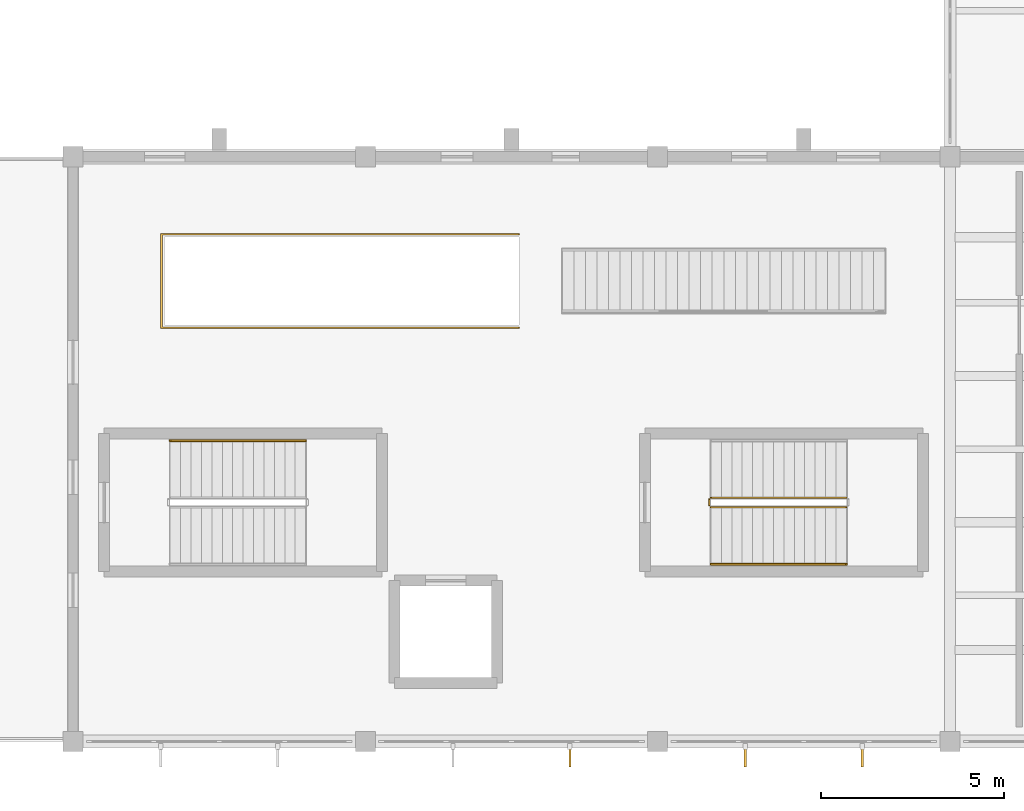
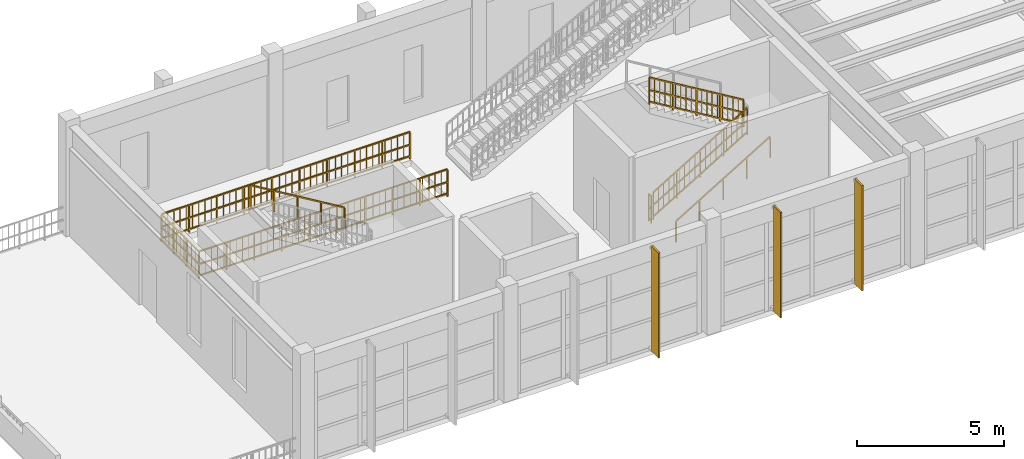
# One storey, part 54 of 59: 6 railings, 3 shading devices.
"""IFC4 building model written with IfcOpenShell, lengths in metres."""

from ifc_helpers import new_model, si_unit, direction, frame, origin, origin_2d, place, context, subcontext, project, spatial, rectangle, extrude, material, layer, layer_set, type_object, element, save


model = new_model("IFC4")

# Units and contexts
model_context = context("Model", 3, precision=1e-05, world=origin(), true_north=direction((0.0, 1.0)))
body_context = subcontext(model_context, "Body", "Model", "MODEL_VIEW")
ifc_project = project(units=[si_unit("LENGTHUNIT", "METRE"), si_unit("AREAUNIT", "SQUARE_METRE"), si_unit("VOLUMEUNIT", "CUBIC_METRE"), si_unit("PLANEANGLEUNIT", "RADIAN"), si_unit("MASSUNIT", "GRAM", prefix="KILO")], contexts=[model_context])

# Site, building, storey
site_placement = place(None, origin())
site = spatial("IfcSite", under=ifc_project, at=site_placement, CompositionType="ELEMENT")
building_placement = place(site_placement, origin())
building = spatial("IfcBuilding", under=site, at=building_placement, Name="Serraluz Foothill Cableway Terminal", CompositionType="ELEMENT")
storey_placement = place(building_placement, frame((0.0, 0.0, 4.800048828125)))
storey = spatial("IfcBuildingStorey", under=building, at=storey_placement, Name="L01", CompositionType="ELEMENT", Elevation=4.800048828125)

# Railings
ifc_material_1 = material(Name="Steel ASTM A572 Grade 50", Category="steel")
ifc_layer_1 = layer(ifc_material_1, 0.054931640625, Name="Steel ASTM A572 Grade 50", Category="steel")
ifc_layer_set_1 = layer_set([ifc_layer_1], Name="Steel ASTM A572 Grade 50")
railing_type_1 = type_object("IfcRailingType", Name="TYP-RL-GRD-1150", PredefinedType="GUARDRAIL", material=ifc_layer_set_1)
railing_1_placement = place(storey_placement, frame((113.4599609375, 6.409912109375, 0.17138671875)))
element("IfcRailing", 1, at=railing_1_placement, inside=storey, type_object=railing_type_1, Name="L01 ST-07 stair guard 1", PredefinedType="GUARDRAIL", context=body_context, shape_type="SweptSolid", body=[
    extrude(rectangle(XDim=0.048095703125, YDim=0.048095703125, at=origin_2d()), frame((0.0, 0.0, 1.1259765625), z_axis=(0.856934400257, 0.0, 0.515425487977), x_axis=(0.0, 1.0, 0.0)), (0.0, 0.0, 1.0), 4.32373046875),
    extrude(rectangle(XDim=0.048095703125, YDim=0.048095703125, at=origin_2d()), frame((0.0, 0.0, 0.597900390625), z_axis=(0.856934400257, 0.0, 0.515425487977), x_axis=(0.0, 1.0, 0.0)), (0.0, 0.0, 1.0), 4.32373046875),
    extrude(rectangle(XDim=0.048095703125, YDim=0.048095703125, at=origin_2d()), frame((0.0, 0.0, 0.1201171875), z_axis=(0.856934400257, 0.0, 0.515425487977), x_axis=(0.0, 1.0, 0.0)), (0.0, 0.0, 1.0), 4.32373046875),
    extrude(rectangle(XDim=0.02001953125, YDim=0.02001953125, at=origin_2d()), frame((0.205810546875, 0.0, 0.243896484375)), (0.0, 0.0, 1.0), 0.981689453125),
    extrude(rectangle(XDim=0.02001953125, YDim=0.02001953125, at=origin_2d()), frame((0.41162109375, 0.0, 0.36767578125)), (0.0, 0.0, 1.0), 0.981689453125),
    extrude(rectangle(XDim=0.02001953125, YDim=0.02001953125, at=origin_2d()), frame((0.617431640625, 0.0, 0.491455078125)), (0.0, 0.0, 1.0), 0.981689453125),
    extrude(rectangle(XDim=0.02001953125, YDim=0.02001953125, at=origin_2d()), frame((0.8232421875, 0.0, 0.615234375)), (0.0, 0.0, 1.0), 0.981689453125),
    extrude(rectangle(XDim=0.02001953125, YDim=0.02001953125, at=origin_2d()), frame((1.029296875, 0.0, 0.739013671875)), (0.0, 0.0, 1.0), 0.981689453125),
    extrude(rectangle(XDim=0.02001953125, YDim=0.02001953125, at=origin_2d()), frame((1.235107421875, 0.0, 0.86279296875)), (0.0, 0.0, 1.0), 0.981689453125),
    extrude(rectangle(XDim=0.02001953125, YDim=0.02001953125, at=origin_2d()), frame((1.44091796875, 0.0, 0.986572265625)), (0.0, 0.0, 1.0), 0.981689453125),
    extrude(rectangle(XDim=0.02001953125, YDim=0.02001953125, at=origin_2d()), frame((1.646728515625, 0.0, 1.1103515625)), (0.0, 0.0, 1.0), 0.981689453125),
    extrude(rectangle(XDim=0.02001953125, YDim=0.02001953125, at=origin_2d()), frame((2.058349609375, 0.0, 1.358154296875)), (0.0, 0.0, 1.0), 0.981689453125),
    extrude(rectangle(XDim=0.02001953125, YDim=0.02001953125, at=origin_2d()), frame((2.26416015625, 0.0, 1.48193359375)), (0.0, 0.0, 1.0), 0.981689453125),
    extrude(rectangle(XDim=0.02001953125, YDim=0.02001953125, at=origin_2d()), frame((2.469970703125, 0.0, 1.605712890625)), (0.0, 0.0, 1.0), 0.981689453125),
    extrude(rectangle(XDim=0.02001953125, YDim=0.02001953125, at=origin_2d()), frame((2.67578125, 0.0, 1.7294921875)), (0.0, 0.0, 1.0), 0.981689453125),
    extrude(rectangle(XDim=0.02001953125, YDim=0.02001953125, at=origin_2d()), frame((2.8818359375, 0.0, 1.853271484375)), (0.0, 0.0, 1.0), 0.981689453125),
    extrude(rectangle(XDim=0.02001953125, YDim=0.02001953125, at=origin_2d()), frame((3.087646484375, 0.0, 1.97705078125)), (0.0, 0.0, 1.0), 0.981689453125),
    extrude(rectangle(XDim=0.02001953125, YDim=0.02001953125, at=origin_2d()), frame((3.29345703125, 0.0, 2.100830078125)), (0.0, 0.0, 1.0), 0.981689453125),
    extrude(rectangle(XDim=0.02001953125, YDim=0.02001953125, at=origin_2d()), frame((3.499267578125, 0.0, 2.224609375)), (0.0, 0.0, 1.0), 0.981689453125),
    extrude(rectangle(XDim=0.0439453125, YDim=0.0439453125, at=origin_2d()), origin(), (0.0, 0.0, 1.0), 1.101806640625),
    extrude(rectangle(XDim=0.0439453125, YDim=0.0439453125, at=origin_2d()), frame((0.92626953125, 0.0, 0.55712890625)), (0.0, 0.0, 1.0), 1.101806640625),
    extrude(rectangle(XDim=0.0439453125, YDim=0.0439453125, at=origin_2d()), frame((1.8525390625, 0.0, 1.1142578125)), (0.0, 0.0, 1.0), 1.101806640625),
    extrude(rectangle(XDim=0.0439453125, YDim=0.0439453125, at=origin_2d()), frame((2.77880859375, 0.0, 1.67138671875)), (0.0, 0.0, 1.0), 1.101806640625),
    extrude(rectangle(XDim=0.0439453125, YDim=0.0439453125, at=origin_2d()), frame((3.705078125, 0.0, 2.228515625)), (0.0, 0.0, 1.0), 1.101806640625),
])
railing_2_placement = place(storey_placement, frame((117.1650390625, 6.669921875, 2.5712890625)))
element("IfcRailing", 2, at=railing_2_placement, inside=storey, type_object=railing_type_1, Name="L01 ST-07 stair guard 3", PredefinedType="GUARDRAIL", context=body_context, shape_type="SweptSolid", body=[
    extrude(rectangle(XDim=0.048095703125, YDim=0.048095703125, at=origin_2d()), frame((0.0, 0.0, 1.1259765625), z_axis=(-0.856909459561, 0.0, 0.515466951525), x_axis=(0.0, -1.0, 0.0)), (0.0, 0.0, 1.0), 4.32373046875),
    extrude(rectangle(XDim=0.048095703125, YDim=0.048095703125, at=origin_2d()), frame((0.0, 0.0, 0.597900390625), z_axis=(-0.856909459561, 0.0, 0.515466951525), x_axis=(0.0, -1.0, 0.0)), (0.0, 0.0, 1.0), 4.32373046875),
    extrude(rectangle(XDim=0.048095703125, YDim=0.048095703125, at=origin_2d()), frame((0.0, 0.0, 0.1201171875), z_axis=(-0.856909459561, 0.0, 0.515466951525), x_axis=(0.0, -1.0, 0.0)), (0.0, 0.0, 1.0), 4.32373046875),
    extrude(rectangle(XDim=0.02001953125, YDim=0.02001953125, at=origin_2d()), frame((-0.205810546875, 0.0, 0.243896484375)), (0.0, 0.0, 1.0), 0.981689453125),
    extrude(rectangle(XDim=0.02001953125, YDim=0.02001953125, at=origin_2d()), frame((-0.41162109375, 0.0, 0.36767578125)), (0.0, 0.0, 1.0), 0.981689453125),
    extrude(rectangle(XDim=0.02001953125, YDim=0.02001953125, at=origin_2d()), frame((-0.617431640625, 0.0, 0.491455078125)), (0.0, 0.0, 1.0), 0.981689453125),
    extrude(rectangle(XDim=0.02001953125, YDim=0.02001953125, at=origin_2d()), frame((-0.8232421875, 0.0, 0.615234375)), (0.0, 0.0, 1.0), 0.981689453125),
    extrude(rectangle(XDim=0.02001953125, YDim=0.02001953125, at=origin_2d()), frame((-1.029296875, 0.0, 0.739013671875)), (0.0, 0.0, 1.0), 0.981689453125),
    extrude(rectangle(XDim=0.02001953125, YDim=0.02001953125, at=origin_2d()), frame((-1.235107421875, 0.0, 0.863037109375)), (0.0, 0.0, 1.0), 0.981689453125),
    extrude(rectangle(XDim=0.02001953125, YDim=0.02001953125, at=origin_2d()), frame((-1.44091796875, 0.0, 0.98681640625)), (0.0, 0.0, 1.0), 0.981689453125),
    extrude(rectangle(XDim=0.02001953125, YDim=0.02001953125, at=origin_2d()), frame((-1.646728515625, 0.0, 1.110595703125)), (0.0, 0.0, 1.0), 0.981689453125),
    extrude(rectangle(XDim=0.02001953125, YDim=0.02001953125, at=origin_2d()), frame((-2.058349609375, 0.0, 1.358154296875)), (0.0, 0.0, 1.0), 0.981689453125),
    extrude(rectangle(XDim=0.02001953125, YDim=0.02001953125, at=origin_2d()), frame((-2.26416015625, 0.0, 1.48193359375)), (0.0, 0.0, 1.0), 0.981689453125),
    extrude(rectangle(XDim=0.02001953125, YDim=0.02001953125, at=origin_2d()), frame((-2.469970703125, 0.0, 1.60595703125)), (0.0, 0.0, 1.0), 0.981689453125),
    extrude(rectangle(XDim=0.02001953125, YDim=0.02001953125, at=origin_2d()), frame((-2.67578125, 0.0, 1.729736328125)), (0.0, 0.0, 1.0), 0.981689453125),
    extrude(rectangle(XDim=0.02001953125, YDim=0.02001953125, at=origin_2d()), frame((-2.8818359375, 0.0, 1.853515625)), (0.0, 0.0, 1.0), 0.981689453125),
    extrude(rectangle(XDim=0.02001953125, YDim=0.02001953125, at=origin_2d()), frame((-3.087646484375, 0.0, 1.977294921875)), (0.0, 0.0, 1.0), 0.981689453125),
    extrude(rectangle(XDim=0.02001953125, YDim=0.02001953125, at=origin_2d()), frame((-3.29345703125, 0.0, 2.10107421875)), (0.0, 0.0, 1.0), 0.981689453125),
    extrude(rectangle(XDim=0.02001953125, YDim=0.02001953125, at=origin_2d()), frame((-3.499267578125, 0.0, 2.224853515625)), (0.0, 0.0, 1.0), 0.981689453125),
    extrude(rectangle(XDim=0.0439453125, YDim=0.0439453125, at=origin_2d()), origin(), (0.0, 0.0, 1.0), 1.101806640625),
    extrude(rectangle(XDim=0.0439453125, YDim=0.0439453125, at=origin_2d()), frame((-0.92626953125, 0.0, 0.55712890625)), (0.0, 0.0, 1.0), 1.101806640625),
    extrude(rectangle(XDim=0.0439453125, YDim=0.0439453125, at=origin_2d()), frame((-1.8525390625, 0.0, 1.1142578125)), (0.0, 0.0, 1.0), 1.101806640625),
    extrude(rectangle(XDim=0.0439453125, YDim=0.0439453125, at=origin_2d()), frame((-2.77880859375, 0.0, 1.671630859375)), (0.0, 0.0, 1.0), 1.101806640625),
    extrude(rectangle(XDim=0.0439453125, YDim=0.0439453125, at=origin_2d()), frame((-3.705078125, 0.0, 2.228759765625)), (0.0, 0.0, 1.0), 1.101806640625),
])
railing_3_placement = place(storey_placement, frame((113.409912109375, 6.4599609375, 0.0)))
element("IfcRailing", 3, at=railing_3_placement, inside=storey, type_object=railing_type_1, Name="L01 ST-07 stair guard 4", PredefinedType="GUARDRAIL", context=body_context, shape_type="SweptSolid", body=[
    extrude(rectangle(XDim=0.048095703125, YDim=0.048095703125, at=origin_2d()), frame((0.0, 0.0, 1.1259765625), z_axis=(0.0, 1.0, 0.0), x_axis=(-1.0, 0.0, 0.0)), (0.0, 0.0, 1.0), 0.16015625),
    extrude(rectangle(XDim=0.048095703125, YDim=0.048095703125, at=origin_2d()), frame((0.0, 0.0, 0.597900390625), z_axis=(0.0, 1.0, 0.0), x_axis=(-1.0, 0.0, 0.0)), (0.0, 0.0, 1.0), 0.16015625),
    extrude(rectangle(XDim=0.048095703125, YDim=0.048095703125, at=origin_2d()), frame((0.0, 0.0, 0.1201171875), z_axis=(0.0, 1.0, 0.0), x_axis=(-1.0, 0.0, 0.0)), (0.0, 0.0, 1.0), 0.16015625),
    extrude(rectangle(XDim=0.0439453125, YDim=0.0439453125, at=origin_2d()), origin(), (0.0, 0.0, 1.0), 1.101806640625),
    extrude(rectangle(XDim=0.0439453125, YDim=0.0439453125, at=origin_2d()), frame((0.0, 0.16015625, 0.0)), (0.0, 0.0, 1.0), 1.101806640625),
])
railing_4_placement = place(storey_placement, frame((108.199951171875, 11.320068359375, 0.0)))
element("IfcRailing", 4, at=railing_4_placement, inside=storey, type_object=railing_type_1, Name="GUARDRAIL ST-F04 Upper Well", PredefinedType="GUARDRAIL", context=body_context, shape_type="SweptSolid", body=[
    extrude(rectangle(XDim=0.048095703125, YDim=0.048095703125, at=origin_2d()), frame((0.0, 0.0, 1.1259765625), z_axis=(-1.0, 0.0, 0.0), x_axis=(0.0, -1.0, 0.0)), (0.0, 0.0, 1.0), 9.780029296875),
    extrude(rectangle(XDim=0.048095703125, YDim=0.048095703125, at=origin_2d()), frame((0.0, 0.0, 0.597900390625), z_axis=(-1.0, 0.0, 0.0), x_axis=(0.0, -1.0, 0.0)), (0.0, 0.0, 1.0), 9.780029296875),
    extrude(rectangle(XDim=0.048095703125, YDim=0.048095703125, at=origin_2d()), frame((0.0, 0.0, 0.1201171875), z_axis=(-1.0, 0.0, 0.0), x_axis=(0.0, -1.0, 0.0)), (0.0, 0.0, 1.0), 9.780029296875),
    extrude(rectangle(XDim=0.02001953125, YDim=0.02001953125, at=origin_2d()), frame((-0.244384765625, 0.0, 0.1201171875)), (0.0, 0.0, 1.0), 0.981689453125),
    extrude(rectangle(XDim=0.02001953125, YDim=0.02001953125, at=origin_2d()), frame((-0.489013671875, 0.0, 0.1201171875)), (0.0, 0.0, 1.0), 0.981689453125),
    extrude(rectangle(XDim=0.02001953125, YDim=0.02001953125, at=origin_2d()), frame((-0.7333984375, 0.0, 0.1201171875)), (0.0, 0.0, 1.0), 0.981689453125),
    extrude(rectangle(XDim=0.02001953125, YDim=0.02001953125, at=origin_2d()), frame((-0.97802734375, 0.0, 0.1201171875)), (0.0, 0.0, 1.0), 0.981689453125),
    extrude(rectangle(XDim=0.02001953125, YDim=0.02001953125, at=origin_2d()), frame((-1.222412109375, 0.0, 0.1201171875)), (0.0, 0.0, 1.0), 0.981689453125),
    extrude(rectangle(XDim=0.02001953125, YDim=0.02001953125, at=origin_2d()), frame((-1.467041015625, 0.0, 0.1201171875)), (0.0, 0.0, 1.0), 0.981689453125),
    extrude(rectangle(XDim=0.02001953125, YDim=0.02001953125, at=origin_2d()), frame((-1.71142578125, 0.0, 0.1201171875)), (0.0, 0.0, 1.0), 0.981689453125),
    extrude(rectangle(XDim=0.02001953125, YDim=0.02001953125, at=origin_2d()), frame((-1.9560546875, 0.0, 0.1201171875)), (0.0, 0.0, 1.0), 0.981689453125),
    extrude(rectangle(XDim=0.02001953125, YDim=0.02001953125, at=origin_2d()), frame((-2.445068359375, 0.0, 0.1201171875)), (0.0, 0.0, 1.0), 0.981689453125),
    extrude(rectangle(XDim=0.02001953125, YDim=0.02001953125, at=origin_2d()), frame((-2.689453125, 0.0, 0.1201171875)), (0.0, 0.0, 1.0), 0.981689453125),
    extrude(rectangle(XDim=0.02001953125, YDim=0.02001953125, at=origin_2d()), frame((-2.93408203125, 0.0, 0.1201171875)), (0.0, 0.0, 1.0), 0.981689453125),
    extrude(rectangle(XDim=0.02001953125, YDim=0.02001953125, at=origin_2d()), frame((-3.178466796875, 0.0, 0.1201171875)), (0.0, 0.0, 1.0), 0.981689453125),
    extrude(rectangle(XDim=0.02001953125, YDim=0.02001953125, at=origin_2d()), frame((-3.423095703125, 0.0, 0.1201171875)), (0.0, 0.0, 1.0), 0.981689453125),
    extrude(rectangle(XDim=0.02001953125, YDim=0.02001953125, at=origin_2d()), frame((-3.66748046875, 0.0, 0.1201171875)), (0.0, 0.0, 1.0), 0.981689453125),
    extrude(rectangle(XDim=0.02001953125, YDim=0.02001953125, at=origin_2d()), frame((-3.912109375, 0.0, 0.1201171875)), (0.0, 0.0, 1.0), 0.981689453125),
    extrude(rectangle(XDim=0.02001953125, YDim=0.02001953125, at=origin_2d()), frame((-4.156494140625, 0.0, 0.1201171875)), (0.0, 0.0, 1.0), 0.981689453125),
    extrude(rectangle(XDim=0.02001953125, YDim=0.02001953125, at=origin_2d()), frame((-4.6455078125, 0.0, 0.1201171875)), (0.0, 0.0, 1.0), 0.981689453125),
    extrude(rectangle(XDim=0.02001953125, YDim=0.02001953125, at=origin_2d()), frame((-4.89013671875, 0.0, 0.1201171875)), (0.0, 0.0, 1.0), 0.981689453125),
    extrude(rectangle(XDim=0.02001953125, YDim=0.02001953125, at=origin_2d()), frame((-5.134521484375, 0.0, 0.1201171875)), (0.0, 0.0, 1.0), 0.981689453125),
    extrude(rectangle(XDim=0.02001953125, YDim=0.02001953125, at=origin_2d()), frame((-5.62353515625, 0.0, 0.1201171875)), (0.0, 0.0, 1.0), 0.981689453125),
    extrude(rectangle(XDim=0.02001953125, YDim=0.02001953125, at=origin_2d()), frame((-5.867919921875, 0.0, 0.1201171875)), (0.0, 0.0, 1.0), 0.981689453125),
    extrude(rectangle(XDim=0.02001953125, YDim=0.02001953125, at=origin_2d()), frame((-6.112548828125, 0.0, 0.1201171875)), (0.0, 0.0, 1.0), 0.981689453125),
    extrude(rectangle(XDim=0.02001953125, YDim=0.02001953125, at=origin_2d()), frame((-6.35693359375, 0.0, 0.1201171875)), (0.0, 0.0, 1.0), 0.981689453125),
    extrude(rectangle(XDim=0.02001953125, YDim=0.02001953125, at=origin_2d()), frame((-6.6015625, 0.0, 0.1201171875)), (0.0, 0.0, 1.0), 0.981689453125),
    extrude(rectangle(XDim=0.02001953125, YDim=0.02001953125, at=origin_2d()), frame((-6.845947265625, 0.0, 0.1201171875)), (0.0, 0.0, 1.0), 0.981689453125),
    extrude(rectangle(XDim=0.02001953125, YDim=0.02001953125, at=origin_2d()), frame((-7.090576171875, 0.0, 0.1201171875)), (0.0, 0.0, 1.0), 0.981689453125),
    extrude(rectangle(XDim=0.02001953125, YDim=0.02001953125, at=origin_2d()), frame((-7.3349609375, 0.0, 0.1201171875)), (0.0, 0.0, 1.0), 0.981689453125),
    extrude(rectangle(XDim=0.02001953125, YDim=0.02001953125, at=origin_2d()), frame((-7.823974609375, 0.0, 0.1201171875)), (0.0, 0.0, 1.0), 0.981689453125),
    extrude(rectangle(XDim=0.02001953125, YDim=0.02001953125, at=origin_2d()), frame((-8.068603515625, 0.0, 0.1201171875)), (0.0, 0.0, 1.0), 0.981689453125),
    extrude(rectangle(XDim=0.02001953125, YDim=0.02001953125, at=origin_2d()), frame((-8.31298828125, 0.0, 0.1201171875)), (0.0, 0.0, 1.0), 0.981689453125),
    extrude(rectangle(XDim=0.02001953125, YDim=0.02001953125, at=origin_2d()), frame((-8.5576171875, 0.0, 0.1201171875)), (0.0, 0.0, 1.0), 0.981689453125),
    extrude(rectangle(XDim=0.02001953125, YDim=0.02001953125, at=origin_2d()), frame((-8.802001953125, 0.0, 0.1201171875)), (0.0, 0.0, 1.0), 0.981689453125),
    extrude(rectangle(XDim=0.02001953125, YDim=0.02001953125, at=origin_2d()), frame((-9.046630859375, 0.0, 0.1201171875)), (0.0, 0.0, 1.0), 0.981689453125),
    extrude(rectangle(XDim=0.02001953125, YDim=0.02001953125, at=origin_2d()), frame((-9.291015625, 0.0, 0.1201171875)), (0.0, 0.0, 1.0), 0.981689453125),
    extrude(rectangle(XDim=0.02001953125, YDim=0.02001953125, at=origin_2d()), frame((-9.53564453125, 0.0, 0.1201171875)), (0.0, 0.0, 1.0), 0.981689453125),
    extrude(rectangle(XDim=0.048095703125, YDim=0.048095703125, at=origin_2d()), frame((-9.780029296875, 0.0, 1.1259765625), z_axis=(0.0, 1.0, 0.0), x_axis=(-1.0, 0.0, 0.0)), (0.0, 0.0, 1.0), 2.559814453125),
    extrude(rectangle(XDim=0.048095703125, YDim=0.048095703125, at=origin_2d()), frame((-9.780029296875, 0.0, 0.597900390625), z_axis=(0.0, 1.0, 0.0), x_axis=(-1.0, 0.0, 0.0)), (0.0, 0.0, 1.0), 2.559814453125),
    extrude(rectangle(XDim=0.048095703125, YDim=0.048095703125, at=origin_2d()), frame((-9.780029296875, 0.0, 0.1201171875), z_axis=(0.0, 1.0, 0.0), x_axis=(-1.0, 0.0, 0.0)), (0.0, 0.0, 1.0), 2.559814453125),
    extrude(rectangle(XDim=0.02001953125, YDim=0.02001953125, at=origin_2d()), frame((-9.780029296875, 0.255859375, 0.1201171875)), (0.0, 0.0, 1.0), 0.981689453125),
    extrude(rectangle(XDim=0.02001953125, YDim=0.02001953125, at=origin_2d()), frame((-9.780029296875, 0.511962890625, 0.1201171875)), (0.0, 0.0, 1.0), 0.981689453125),
    extrude(rectangle(XDim=0.02001953125, YDim=0.02001953125, at=origin_2d()), frame((-9.780029296875, 0.76806640625, 0.1201171875)), (0.0, 0.0, 1.0), 0.981689453125),
    extrude(rectangle(XDim=0.02001953125, YDim=0.02001953125, at=origin_2d()), frame((-9.780029296875, 1.02392578125, 0.1201171875)), (0.0, 0.0, 1.0), 0.981689453125),
    extrude(rectangle(XDim=0.02001953125, YDim=0.02001953125, at=origin_2d()), frame((-9.780029296875, 1.27978515625, 0.1201171875)), (0.0, 0.0, 1.0), 0.981689453125),
    extrude(rectangle(XDim=0.02001953125, YDim=0.02001953125, at=origin_2d()), frame((-9.780029296875, 1.535888671875, 0.1201171875)), (0.0, 0.0, 1.0), 0.981689453125),
    extrude(rectangle(XDim=0.02001953125, YDim=0.02001953125, at=origin_2d()), frame((-9.780029296875, 1.791748046875, 0.1201171875)), (0.0, 0.0, 1.0), 0.981689453125),
    extrude(rectangle(XDim=0.02001953125, YDim=0.02001953125, at=origin_2d()), frame((-9.780029296875, 2.0478515625, 0.1201171875)), (0.0, 0.0, 1.0), 0.981689453125),
    extrude(rectangle(XDim=0.02001953125, YDim=0.02001953125, at=origin_2d()), frame((-9.780029296875, 2.3037109375, 0.1201171875)), (0.0, 0.0, 1.0), 0.981689453125),
    extrude(rectangle(XDim=0.048095703125, YDim=0.048095703125, at=origin_2d()), frame((-9.780029296875, 2.559814453125, 1.1259765625), z_axis=(1.0, 0.0, 0.0), x_axis=(0.0, 1.0, 0.0)), (0.0, 0.0, 1.0), 9.780029296875),
    extrude(rectangle(XDim=0.048095703125, YDim=0.048095703125, at=origin_2d()), frame((-9.780029296875, 2.559814453125, 0.597900390625), z_axis=(1.0, 0.0, 0.0), x_axis=(0.0, 1.0, 0.0)), (0.0, 0.0, 1.0), 9.780029296875),
    extrude(rectangle(XDim=0.048095703125, YDim=0.048095703125, at=origin_2d()), frame((-9.780029296875, 2.559814453125, 0.1201171875), z_axis=(1.0, 0.0, 0.0), x_axis=(0.0, 1.0, 0.0)), (0.0, 0.0, 1.0), 9.780029296875),
    extrude(rectangle(XDim=0.02001953125, YDim=0.02001953125, at=origin_2d()), frame((-9.53564453125, 2.559814453125, 0.1201171875)), (0.0, 0.0, 1.0), 0.981689453125),
    extrude(rectangle(XDim=0.02001953125, YDim=0.02001953125, at=origin_2d()), frame((-9.291015625, 2.559814453125, 0.1201171875)), (0.0, 0.0, 1.0), 0.981689453125),
    extrude(rectangle(XDim=0.02001953125, YDim=0.02001953125, at=origin_2d()), frame((-9.046630859375, 2.559814453125, 0.1201171875)), (0.0, 0.0, 1.0), 0.981689453125),
    extrude(rectangle(XDim=0.02001953125, YDim=0.02001953125, at=origin_2d()), frame((-8.802001953125, 2.559814453125, 0.1201171875)), (0.0, 0.0, 1.0), 0.981689453125),
    extrude(rectangle(XDim=0.02001953125, YDim=0.02001953125, at=origin_2d()), frame((-8.5576171875, 2.559814453125, 0.1201171875)), (0.0, 0.0, 1.0), 0.981689453125),
    extrude(rectangle(XDim=0.02001953125, YDim=0.02001953125, at=origin_2d()), frame((-8.31298828125, 2.559814453125, 0.1201171875)), (0.0, 0.0, 1.0), 0.981689453125),
    extrude(rectangle(XDim=0.02001953125, YDim=0.02001953125, at=origin_2d()), frame((-8.068603515625, 2.559814453125, 0.1201171875)), (0.0, 0.0, 1.0), 0.981689453125),
    extrude(rectangle(XDim=0.02001953125, YDim=0.02001953125, at=origin_2d()), frame((-7.823974609375, 2.559814453125, 0.1201171875)), (0.0, 0.0, 1.0), 0.981689453125),
    extrude(rectangle(XDim=0.02001953125, YDim=0.02001953125, at=origin_2d()), frame((-7.3349609375, 2.559814453125, 0.1201171875)), (0.0, 0.0, 1.0), 0.981689453125),
    extrude(rectangle(XDim=0.02001953125, YDim=0.02001953125, at=origin_2d()), frame((-7.090576171875, 2.559814453125, 0.1201171875)), (0.0, 0.0, 1.0), 0.981689453125),
    extrude(rectangle(XDim=0.02001953125, YDim=0.02001953125, at=origin_2d()), frame((-6.845947265625, 2.559814453125, 0.1201171875)), (0.0, 0.0, 1.0), 0.981689453125),
    extrude(rectangle(XDim=0.02001953125, YDim=0.02001953125, at=origin_2d()), frame((-6.6015625, 2.559814453125, 0.1201171875)), (0.0, 0.0, 1.0), 0.981689453125),
    extrude(rectangle(XDim=0.02001953125, YDim=0.02001953125, at=origin_2d()), frame((-6.35693359375, 2.559814453125, 0.1201171875)), (0.0, 0.0, 1.0), 0.981689453125),
    extrude(rectangle(XDim=0.02001953125, YDim=0.02001953125, at=origin_2d()), frame((-6.112548828125, 2.559814453125, 0.1201171875)), (0.0, 0.0, 1.0), 0.981689453125),
    extrude(rectangle(XDim=0.02001953125, YDim=0.02001953125, at=origin_2d()), frame((-5.867919921875, 2.559814453125, 0.1201171875)), (0.0, 0.0, 1.0), 0.981689453125),
    extrude(rectangle(XDim=0.02001953125, YDim=0.02001953125, at=origin_2d()), frame((-5.62353515625, 2.559814453125, 0.1201171875)), (0.0, 0.0, 1.0), 0.981689453125),
    extrude(rectangle(XDim=0.02001953125, YDim=0.02001953125, at=origin_2d()), frame((-5.134521484375, 2.559814453125, 0.1201171875)), (0.0, 0.0, 1.0), 0.981689453125),
    extrude(rectangle(XDim=0.02001953125, YDim=0.02001953125, at=origin_2d()), frame((-4.89013671875, 2.559814453125, 0.1201171875)), (0.0, 0.0, 1.0), 0.981689453125),
    extrude(rectangle(XDim=0.02001953125, YDim=0.02001953125, at=origin_2d()), frame((-4.6455078125, 2.559814453125, 0.1201171875)), (0.0, 0.0, 1.0), 0.981689453125),
    extrude(rectangle(XDim=0.02001953125, YDim=0.02001953125, at=origin_2d()), frame((-4.156494140625, 2.559814453125, 0.1201171875)), (0.0, 0.0, 1.0), 0.981689453125),
    extrude(rectangle(XDim=0.02001953125, YDim=0.02001953125, at=origin_2d()), frame((-3.912109375, 2.559814453125, 0.1201171875)), (0.0, 0.0, 1.0), 0.981689453125),
    extrude(rectangle(XDim=0.02001953125, YDim=0.02001953125, at=origin_2d()), frame((-3.66748046875, 2.559814453125, 0.1201171875)), (0.0, 0.0, 1.0), 0.981689453125),
    extrude(rectangle(XDim=0.02001953125, YDim=0.02001953125, at=origin_2d()), frame((-3.423095703125, 2.559814453125, 0.1201171875)), (0.0, 0.0, 1.0), 0.981689453125),
    extrude(rectangle(XDim=0.02001953125, YDim=0.02001953125, at=origin_2d()), frame((-3.178466796875, 2.559814453125, 0.1201171875)), (0.0, 0.0, 1.0), 0.981689453125),
    extrude(rectangle(XDim=0.02001953125, YDim=0.02001953125, at=origin_2d()), frame((-2.93408203125, 2.559814453125, 0.1201171875)), (0.0, 0.0, 1.0), 0.981689453125),
    extrude(rectangle(XDim=0.02001953125, YDim=0.02001953125, at=origin_2d()), frame((-2.689453125, 2.559814453125, 0.1201171875)), (0.0, 0.0, 1.0), 0.981689453125),
    extrude(rectangle(XDim=0.02001953125, YDim=0.02001953125, at=origin_2d()), frame((-2.445068359375, 2.559814453125, 0.1201171875)), (0.0, 0.0, 1.0), 0.981689453125),
    extrude(rectangle(XDim=0.02001953125, YDim=0.02001953125, at=origin_2d()), frame((-1.9560546875, 2.559814453125, 0.1201171875)), (0.0, 0.0, 1.0), 0.981689453125),
    extrude(rectangle(XDim=0.02001953125, YDim=0.02001953125, at=origin_2d()), frame((-1.71142578125, 2.559814453125, 0.1201171875)), (0.0, 0.0, 1.0), 0.981689453125),
    extrude(rectangle(XDim=0.02001953125, YDim=0.02001953125, at=origin_2d()), frame((-1.467041015625, 2.559814453125, 0.1201171875)), (0.0, 0.0, 1.0), 0.981689453125),
    extrude(rectangle(XDim=0.02001953125, YDim=0.02001953125, at=origin_2d()), frame((-1.222412109375, 2.559814453125, 0.1201171875)), (0.0, 0.0, 1.0), 0.981689453125),
    extrude(rectangle(XDim=0.02001953125, YDim=0.02001953125, at=origin_2d()), frame((-0.97802734375, 2.559814453125, 0.1201171875)), (0.0, 0.0, 1.0), 0.981689453125),
    extrude(rectangle(XDim=0.02001953125, YDim=0.02001953125, at=origin_2d()), frame((-0.7333984375, 2.559814453125, 0.1201171875)), (0.0, 0.0, 1.0), 0.981689453125),
    extrude(rectangle(XDim=0.02001953125, YDim=0.02001953125, at=origin_2d()), frame((-0.489013671875, 2.559814453125, 0.1201171875)), (0.0, 0.0, 1.0), 0.981689453125),
    extrude(rectangle(XDim=0.02001953125, YDim=0.02001953125, at=origin_2d()), frame((-0.244384765625, 2.559814453125, 0.1201171875)), (0.0, 0.0, 1.0), 0.981689453125),
    extrude(rectangle(XDim=0.0439453125, YDim=0.0439453125, at=origin_2d()), origin(), (0.0, 0.0, 1.0), 1.101806640625),
    extrude(rectangle(XDim=0.0439453125, YDim=0.0439453125, at=origin_2d()), frame((-1.086669921875, 0.0, 0.0)), (0.0, 0.0, 1.0), 1.101806640625),
    extrude(rectangle(XDim=0.0439453125, YDim=0.0439453125, at=origin_2d()), frame((-2.17333984375, 0.0, 0.0)), (0.0, 0.0, 1.0), 1.101806640625),
    extrude(rectangle(XDim=0.0439453125, YDim=0.0439453125, at=origin_2d()), frame((-3.260009765625, 0.0, 0.0)), (0.0, 0.0, 1.0), 1.101806640625),
    extrude(rectangle(XDim=0.0439453125, YDim=0.0439453125, at=origin_2d()), frame((-4.3466796875, 0.0, 0.0)), (0.0, 0.0, 1.0), 1.101806640625),
    extrude(rectangle(XDim=0.0439453125, YDim=0.0439453125, at=origin_2d()), frame((-5.433349609375, 0.0, 0.0)), (0.0, 0.0, 1.0), 1.101806640625),
    extrude(rectangle(XDim=0.0439453125, YDim=0.0439453125, at=origin_2d()), frame((-6.52001953125, 0.0, 0.0)), (0.0, 0.0, 1.0), 1.101806640625),
    extrude(rectangle(XDim=0.0439453125, YDim=0.0439453125, at=origin_2d()), frame((-7.606689453125, 0.0, 0.0)), (0.0, 0.0, 1.0), 1.101806640625),
    extrude(rectangle(XDim=0.0439453125, YDim=0.0439453125, at=origin_2d()), frame((-8.693359375, 0.0, 0.0)), (0.0, 0.0, 1.0), 1.101806640625),
    extrude(rectangle(XDim=0.0439453125, YDim=0.0439453125, at=origin_2d()), frame((-9.780029296875, 0.0, 0.0)), (0.0, 0.0, 1.0), 1.101806640625),
    extrude(rectangle(XDim=0.0439453125, YDim=0.0439453125, at=origin_2d()), frame((-9.780029296875, 0.853271484375, 0.0)), (0.0, 0.0, 1.0), 1.101806640625),
    extrude(rectangle(XDim=0.0439453125, YDim=0.0439453125, at=origin_2d()), frame((-9.780029296875, 1.70654296875, 0.0)), (0.0, 0.0, 1.0), 1.101806640625),
    extrude(rectangle(XDim=0.0439453125, YDim=0.0439453125, at=origin_2d()), frame((-9.780029296875, 2.559814453125, 0.0)), (0.0, 0.0, 1.0), 1.101806640625),
    extrude(rectangle(XDim=0.0439453125, YDim=0.0439453125, at=origin_2d()), frame((-8.693359375, 2.559814453125, 0.0)), (0.0, 0.0, 1.0), 1.101806640625),
    extrude(rectangle(XDim=0.0439453125, YDim=0.0439453125, at=origin_2d()), frame((-7.606689453125, 2.559814453125, 0.0)), (0.0, 0.0, 1.0), 1.101806640625),
    extrude(rectangle(XDim=0.0439453125, YDim=0.0439453125, at=origin_2d()), frame((-6.52001953125, 2.559814453125, 0.0)), (0.0, 0.0, 1.0), 1.101806640625),
    extrude(rectangle(XDim=0.0439453125, YDim=0.0439453125, at=origin_2d()), frame((-5.433349609375, 2.559814453125, 0.0)), (0.0, 0.0, 1.0), 1.101806640625),
    extrude(rectangle(XDim=0.0439453125, YDim=0.0439453125, at=origin_2d()), frame((-4.3466796875, 2.559814453125, 0.0)), (0.0, 0.0, 1.0), 1.101806640625),
    extrude(rectangle(XDim=0.0439453125, YDim=0.0439453125, at=origin_2d()), frame((-3.260009765625, 2.559814453125, 0.0)), (0.0, 0.0, 1.0), 1.101806640625),
    extrude(rectangle(XDim=0.0439453125, YDim=0.0439453125, at=origin_2d()), frame((-2.17333984375, 2.559814453125, 0.0)), (0.0, 0.0, 1.0), 1.101806640625),
    extrude(rectangle(XDim=0.0439453125, YDim=0.0439453125, at=origin_2d()), frame((-1.086669921875, 2.559814453125, 0.0)), (0.0, 0.0, 1.0), 1.101806640625),
    extrude(rectangle(XDim=0.0439453125, YDim=0.0439453125, at=origin_2d()), frame((0.0, 2.559814453125, 0.0)), (0.0, 0.0, 1.0), 1.101806640625),
])
ifc_material_2 = material(Name="Architectural bronze alloy C28000", Category="aluminium")
ifc_layer_2 = layer(ifc_material_2, 0.048095703125, Name="Architectural bronze alloy C28000", Category="aluminium")
ifc_layer_set_2 = layer_set([ifc_layer_2], Name="Architectural bronze alloy C28000")
railing_type_2 = type_object("IfcRailingType", Name="TYP-RL-HND-920", PredefinedType="HANDRAIL", material=ifc_layer_set_2)
railing_5_placement = place(storey_placement, frame((102.364990234375, 8.22998046875, 2.5712890625)))
element("IfcRailing", 5, at=railing_5_placement, inside=storey, type_object=railing_type_2, Name="L01 ST-06 stair handrail 2", PredefinedType="HANDRAIL", context=body_context, shape_type="SweptSolid", body=[
    extrude(rectangle(XDim=0.048095703125, YDim=0.048095703125, at=origin_2d()), frame((0.0, 0.0, 0.8759765625), z_axis=(-0.856909459561, 0.0, 0.515466951525), x_axis=(0.0, -1.0, 0.0)), (0.0, 0.0, 1.0), 4.32373046875),
    extrude(rectangle(XDim=0.0439453125, YDim=0.0439453125, at=origin_2d()), origin(), (0.0, 0.0, 1.0), 0.851806640625),
    extrude(rectangle(XDim=0.0439453125, YDim=0.0439453125, at=origin_2d()), frame((-0.92626953125, 0.0, 0.55712890625)), (0.0, 0.0, 1.0), 0.851806640625),
    extrude(rectangle(XDim=0.0439453125, YDim=0.0439453125, at=origin_2d()), frame((-1.8525390625, 0.0, 1.1142578125)), (0.0, 0.0, 1.0), 0.851806640625),
    extrude(rectangle(XDim=0.0439453125, YDim=0.0439453125, at=origin_2d()), frame((-2.77880859375, 0.0, 1.671630859375)), (0.0, 0.0, 1.0), 0.851806640625),
    extrude(rectangle(XDim=0.0439453125, YDim=0.0439453125, at=origin_2d()), frame((-3.705078125, 0.0, 2.228759765625)), (0.0, 0.0, 1.0), 0.851806640625),
])
railing_6_placement = place(storey_placement, frame((113.4599609375, 4.85009765625, 0.17138671875)))
element("IfcRailing", 6, at=railing_6_placement, inside=storey, type_object=railing_type_2, Name="L01 ST-07 stair handrail 1", PredefinedType="HANDRAIL", context=body_context, shape_type="SweptSolid", body=[
    extrude(rectangle(XDim=0.048095703125, YDim=0.048095703125, at=origin_2d()), frame((0.0, 0.0, 0.8759765625), z_axis=(0.856934400257, 0.0, 0.515425487977), x_axis=(0.0, 1.0, 0.0)), (0.0, 0.0, 1.0), 4.32373046875),
    extrude(rectangle(XDim=0.0439453125, YDim=0.0439453125, at=origin_2d()), origin(), (0.0, 0.0, 1.0), 0.851806640625),
    extrude(rectangle(XDim=0.0439453125, YDim=0.0439453125, at=origin_2d()), frame((0.92626953125, 0.0, 0.55712890625)), (0.0, 0.0, 1.0), 0.851806640625),
    extrude(rectangle(XDim=0.0439453125, YDim=0.0439453125, at=origin_2d()), frame((1.8525390625, 0.0, 1.1142578125)), (0.0, 0.0, 1.0), 0.851806640625),
    extrude(rectangle(XDim=0.0439453125, YDim=0.0439453125, at=origin_2d()), frame((2.77880859375, 0.0, 1.67138671875)), (0.0, 0.0, 1.0), 0.851806640625),
    extrude(rectangle(XDim=0.0439453125, YDim=0.0439453125, at=origin_2d()), frame((3.705078125, 0.0, 2.228515625)), (0.0, 0.0, 1.0), 0.851806640625),
])

# Shading devices
shading_device_type = type_object("IfcShadingDeviceType", Name="TYP-SHD-FIN-480", PredefinedType="JALOUSIE", material=ifc_material_2)
for number, where, z_axis, x_axis, name in (
    (7, (109.60009765625, -0.455078125, 0.06005859375), (0.0, 0.0, 1.0), (1.0, 0.0, 0.0), "Belvedere Vertical Solar Fin SHD-0007"),
    (8, (114.39990234375, -0.455078125, 0.06005859375), (0.0, 0.0, 1.0), (1.0, 0.0, 0.0), "Belvedere Vertical Solar Fin SHD-0009"),
    (9, (117.60009765625, -0.455078125, 0.06005859375), (0.0, 0.0, 1.0), (1.0, 0.0, 0.0), "Belvedere Vertical Solar Fin SHD-0011"),
):
    element("IfcShadingDevice", number, at=place(storey_placement, frame(where, z_axis=z_axis, x_axis=x_axis)), inside=storey, type_object=shading_device_type, Name=name, PredefinedType="JALOUSIE", context=body_context, shape_type="SweptSolid", body=[
        extrude(rectangle(XDim=0.06494140625, YDim=0.47998046875, at=origin_2d()), origin(), (0.0, 0.0, 1.0), 4.3798828125),
    ])

save(model, "model.ifc")
